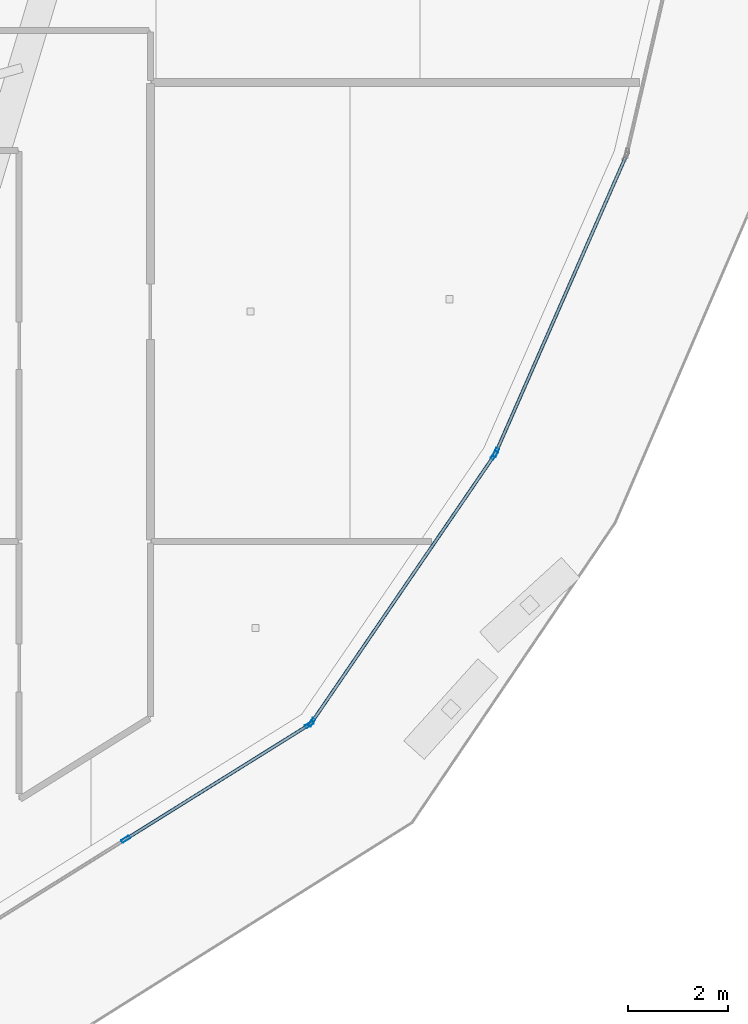
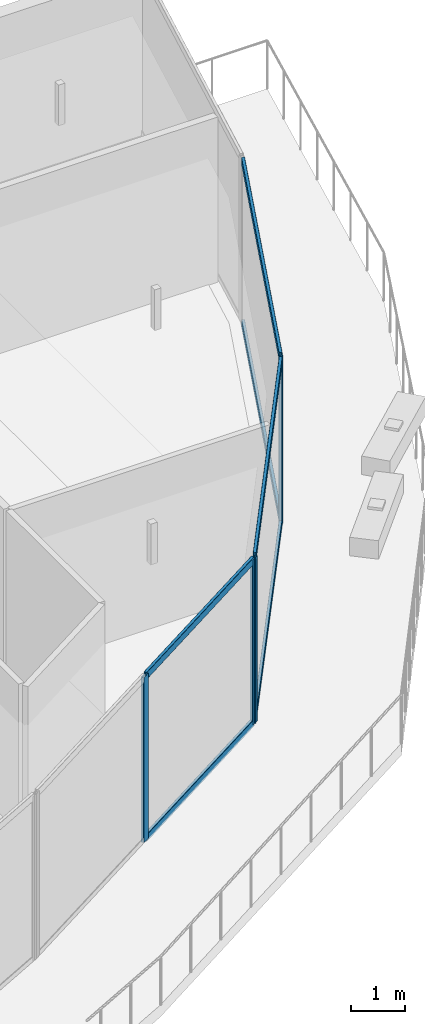
# One storey, part 9 of 36: 11 members, 3 elements without a shape of their own.
"""IFC4 building model written with IfcOpenShell, lengths in metres."""

from ifc_helpers import new_model, si_unit, direction, frame, origin, origin_2d, place, context, subcontext, project, spatial, hollow_rectangle, extrude, material, layer, layer_set, material_profile, profile_set, type_object, element, aggregate, save


model = new_model("IFC4")

# Units and contexts
model_context = context("Model", 3, precision=1e-05, world=origin(), true_north=direction((0.0, 1.0)))
body_context = subcontext(model_context, "Body", "Model", "MODEL_VIEW")
ifc_project = project(units=[si_unit("LENGTHUNIT", "METRE"), si_unit("AREAUNIT", "SQUARE_METRE"), si_unit("VOLUMEUNIT", "CUBIC_METRE"), si_unit("PLANEANGLEUNIT", "RADIAN"), si_unit("MASSUNIT", "GRAM", prefix="KILO")], contexts=[model_context])

# Site, building, storey
site_placement = place(None, origin())
site = spatial("IfcSite", under=ifc_project, at=site_placement, CompositionType="ELEMENT")
building_placement = place(site_placement, origin())
building = spatial("IfcBuilding", under=site, at=building_placement, Name="Qorvath Tower", CompositionType="ELEMENT")
storey_placement = place(building_placement, frame((0.0, 0.0, 170.550048828125)))
storey = spatial("IfcBuildingStorey", under=building, at=storey_placement, Name="L39", CompositionType="ELEMENT", Elevation=170.550048828125)

# Curtain wall, members
ifc_material_1 = material(Name="Anodised aluminium and triple low-E glass", Category="aluminium")
ifc_layer = layer(ifc_material_1, 0.179931640625)
ifc_layer_set = layer_set([ifc_layer], Name="CW-SYS-3")
curtain_wall_type = type_object("IfcCurtainWallType", Name="CW-SYS-3", PredefinedType="NOTDEFINED", material=ifc_layer_set)
curtain_wall_1_placement = place(storey_placement, origin())
curtain_wall_1 = element("IfcCurtainWall", 1, at=curtain_wall_1_placement, inside=storey, type_object=curtain_wall_type, Name="Curtain Wall CW-3 CW-T-L39-4.1", PredefinedType="NOTDEFINED")
ifc_material_2 = material(Name="Anodised aluminium 6063-T6", Category="aluminium")
ifc_material_profile_1 = material_profile(ifc_material_2, hollow_rectangle(XDim=0.06494140625, YDim=0.179931640625, WallThickness=0.00341796875, InnerFilletRadius=0.00341796875, OuterFilletRadius=0.007080078125, at=origin_2d()), Name="CWM 180x65")
ifc_profile_set_1 = profile_set([ifc_material_profile_1], Name="Anodised aluminium 6063-T6")
member_type_1 = type_object("IfcMemberType", Name="CWM-180", PredefinedType="MULLION", material=ifc_profile_set_1)
member_1_placement = place(storey_placement, frame((-8.484619140625, -24.669921875, 0.0), z_axis=(0.0, 0.0, 1.0), x_axis=(-0.529328282744, 0.848417096178, 0.0)))
member_1 = element("IfcMember", 2, at=member_1_placement, type_object=member_type_1, Name="CW-3 mullion 2", PredefinedType="MULLION", context=body_context, shape_type="SweptSolid", body=[
    extrude(hollow_rectangle(XDim=0.06494140625, YDim=0.179931640625, WallThickness=0.00341796875, InnerFilletRadius=0.00341796875, OuterFilletRadius=0.007080078125, at=origin_2d()), origin(), (0.0, 0.0, 1.0), 3.75),
])
member_2_placement = place(storey_placement, frame((-4.826904296875, -22.387939453125, 0.0), z_axis=(0.0, 0.0, 1.0), x_axis=(-0.529328282744, 0.848417096178, 0.0)))
member_2 = element("IfcMember", 3, at=member_2_placement, type_object=member_type_1, Name="CW-3 mullion 3", PredefinedType="MULLION", context=body_context, shape_type="SweptSolid", body=[
    extrude(hollow_rectangle(XDim=0.06494140625, YDim=0.179931640625, WallThickness=0.00341796875, InnerFilletRadius=0.00341796875, OuterFilletRadius=0.007080078125, at=origin_2d()), origin(), (0.0, 0.0, 1.0), 3.75),
])

curtain_wall_2_placement = place(storey_placement, origin())
curtain_wall_2 = element("IfcCurtainWall", 4, at=curtain_wall_2_placement, inside=storey, type_object=curtain_wall_type, Name="Curtain Wall CW-3 CW-T-L39-5.1", PredefinedType="NOTDEFINED")
member_3_placement = place(storey_placement, frame((-4.781005859375, -22.343994140625, 0.0), z_axis=(0.0, 0.0, 1.0), x_axis=(-0.82552478625, 0.564365862971, 0.0)))
member_3 = element("IfcMember", 5, at=member_3_placement, type_object=member_type_1, Name="CW-3 mullion 1", PredefinedType="MULLION", context=body_context, shape_type="SweptSolid", body=[
    extrude(hollow_rectangle(XDim=0.06494140625, YDim=0.179931640625, WallThickness=0.00341796875, InnerFilletRadius=0.00341796875, OuterFilletRadius=0.007080078125, at=origin_2d()), origin(), (0.0, 0.0, 1.0), 3.75),
])
member_4_placement = place(storey_placement, frame((-1.146728515625, -17.028076171875, 0.0), z_axis=(0.0, 0.0, 1.0), x_axis=(-0.82552478625, 0.564365862971, 0.0)))
member_4 = element("IfcMember", 6, at=member_4_placement, type_object=member_type_1, Name="CW-3 mullion 2", PredefinedType="MULLION", context=body_context, shape_type="SweptSolid", body=[
    extrude(hollow_rectangle(XDim=0.06494140625, YDim=0.179931640625, WallThickness=0.00341796875, InnerFilletRadius=0.00341796875, OuterFilletRadius=0.007080078125, at=origin_2d()), origin(), (0.0, 0.0, 1.0), 3.75),
])

# Curtain wall, member
curtain_wall_3_placement = place(storey_placement, origin())
curtain_wall_3 = element("IfcCurtainWall", 7, at=curtain_wall_3_placement, inside=storey, type_object=curtain_wall_type, Name="Curtain Wall CW-3 CW-T-L39-6.1", PredefinedType="NOTDEFINED")
member_5_placement = place(storey_placement, frame((-1.115234375, -16.971435546875, 0.0), z_axis=(0.0, 0.0, 1.0), x_axis=(-0.915629399612, 0.402023385597, 0.0)))
member_5 = element("IfcMember", 8, at=member_5_placement, type_object=member_type_1, Name="CW-3 mullion 1", PredefinedType="MULLION", context=body_context, shape_type="SweptSolid", body=[
    extrude(hollow_rectangle(XDim=0.06494140625, YDim=0.179931640625, WallThickness=0.00341796875, InnerFilletRadius=0.00341796875, OuterFilletRadius=0.007080078125, at=origin_2d()), origin(), (0.0, 0.0, 1.0), 3.75),
])

# Member
ifc_material_3 = material(Name="Anodised aluminium 6063-T6", Category="aluminium")
ifc_material_profile_2 = material_profile(ifc_material_3, hollow_rectangle(XDim=0.06494140625, YDim=0.159912109375, WallThickness=0.00341796875, InnerFilletRadius=0.00341796875, OuterFilletRadius=0.007080078125, at=origin_2d()), Name="CWT 160x65")
ifc_profile_set_2 = profile_set([ifc_material_profile_2], Name="Anodised aluminium 6063-T6")
member_type_2 = type_object("IfcMemberType", Name="CWT-160", PredefinedType="USERDEFINED", material=ifc_profile_set_2)
member_6_placement = place(storey_placement, frame((-8.45703125, -24.65283203125, 0.032470703125), z_axis=(0.848424411171, 0.529316557959, 0.0), x_axis=(-0.529316557959, 0.848424411171, 0.0)))
member_6 = element("IfcMember", 9, at=member_6_placement, type_object=member_type_2, Name="CW-3 transom 2.1", ObjectType="TRANSOM", PredefinedType="USERDEFINED", context=body_context, shape_type="SweptSolid", body=[
    extrude(hollow_rectangle(XDim=0.06494140625, YDim=0.159912109375, WallThickness=0.00341796875, InnerFilletRadius=0.00341796875, OuterFilletRadius=0.007080078125, at=origin_2d()), origin(), (0.0, 0.0, 1.0), 4.24609375),
])

member_7_placement = place(storey_placement, frame((-8.45703125, -24.65283203125, 3.717529296875), z_axis=(0.848424411171, 0.529316557959, 0.0), x_axis=(-0.529316557959, 0.848424411171, 0.0)))
member_7 = element("IfcMember", 10, at=member_7_placement, type_object=member_type_2, Name="CW-3 transom 2.2", ObjectType="TRANSOM", PredefinedType="USERDEFINED", context=body_context, shape_type="SweptSolid", body=[
    extrude(hollow_rectangle(XDim=0.06494140625, YDim=0.159912109375, WallThickness=0.00341796875, InnerFilletRadius=0.00341796875, OuterFilletRadius=0.007080078125, at=origin_2d()), origin(), (0.0, 0.0, 1.0), 4.24609375),
])

aggregate(curtain_wall_1, [member_1, member_2, member_6, member_7])

member_8_placement = place(storey_placement, frame((-4.7626953125, -22.317138671875, 0.032470703125), z_axis=(0.564384562589, 0.825512002039, 0.0), x_axis=(-0.825512002039, 0.564384562589, 0.0)))
member_8 = element("IfcMember", 11, at=member_8_placement, type_object=member_type_2, Name="CW-3 transom 1.1", ObjectType="TRANSOM", PredefinedType="USERDEFINED", context=body_context, shape_type="SweptSolid", body=[
    extrude(hollow_rectangle(XDim=0.06494140625, YDim=0.159912109375, WallThickness=0.00341796875, InnerFilletRadius=0.00341796875, OuterFilletRadius=0.007080078125, at=origin_2d()), origin(), (0.0, 0.0, 1.0), 6.37451171875),
])

member_9_placement = place(storey_placement, frame((-4.7626953125, -22.317138671875, 3.717529296875), z_axis=(0.564384562589, 0.825512002039, 0.0), x_axis=(-0.825512002039, 0.564384562589, 0.0)))
member_9 = element("IfcMember", 12, at=member_9_placement, type_object=member_type_2, Name="CW-3 transom 1.2", ObjectType="TRANSOM", PredefinedType="USERDEFINED", context=body_context, shape_type="SweptSolid", body=[
    extrude(hollow_rectangle(XDim=0.06494140625, YDim=0.159912109375, WallThickness=0.00341796875, InnerFilletRadius=0.00341796875, OuterFilletRadius=0.007080078125, at=origin_2d()), origin(), (0.0, 0.0, 1.0), 6.37451171875),
])

aggregate(curtain_wall_2, [member_3, member_4, member_8, member_9])

member_10_placement = place(storey_placement, frame((-1.102294921875, -16.941650390625, 0.032470703125), z_axis=(0.402030003939, 0.915626493682, 0.0), x_axis=(-0.915626493682, 0.402030003939, 0.0)))
member_10 = element("IfcMember", 13, at=member_10_placement, type_object=member_type_2, Name="CW-3 transom 1.1", ObjectType="TRANSOM", PredefinedType="USERDEFINED", context=body_context, shape_type="SweptSolid", body=[
    extrude(hollow_rectangle(XDim=0.06494140625, YDim=0.159912109375, WallThickness=0.00341796875, InnerFilletRadius=0.00341796875, OuterFilletRadius=0.007080078125, at=origin_2d()), origin(), (0.0, 0.0, 1.0), 6.37451171875),
])

member_11_placement = place(storey_placement, frame((-1.102294921875, -16.941650390625, 3.717529296875), z_axis=(0.402030003939, 0.915626493682, 0.0), x_axis=(-0.915626493682, 0.402030003939, 0.0)))
member_11 = element("IfcMember", 14, at=member_11_placement, type_object=member_type_2, Name="CW-3 transom 1.2", ObjectType="TRANSOM", PredefinedType="USERDEFINED", context=body_context, shape_type="SweptSolid", body=[
    extrude(hollow_rectangle(XDim=0.06494140625, YDim=0.159912109375, WallThickness=0.00341796875, InnerFilletRadius=0.00341796875, OuterFilletRadius=0.007080078125, at=origin_2d()), origin(), (0.0, 0.0, 1.0), 6.37451171875),
])

aggregate(curtain_wall_3, [member_5, member_10, member_11])

save(model, "model.ifc")
